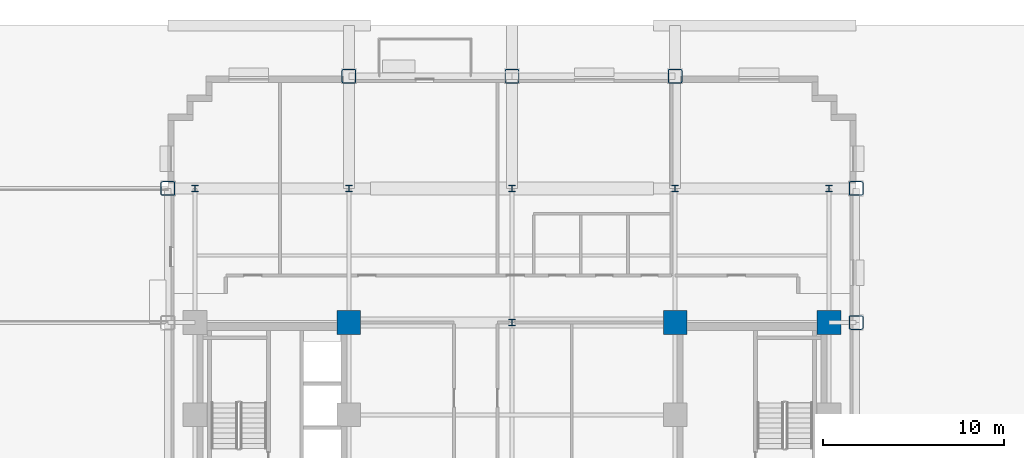
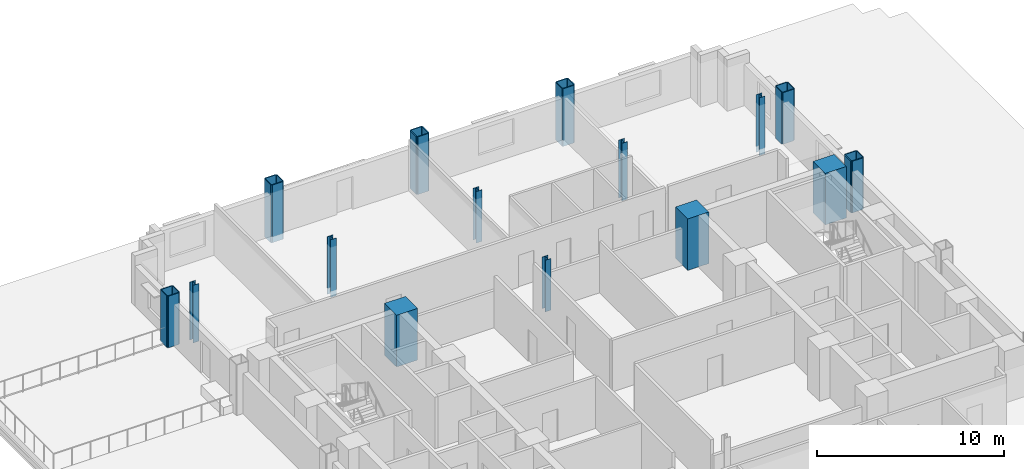
# One storey, part 2 of 13: 15 columns.
"""IFC4 building model written with IfcOpenShell, lengths in metres."""

import ifcopenshell
import ifcopenshell.guid

model = None  # the IFC model being written
_history = None  # IfcOwnerHistory: only IFC2X3 demands one
_inside = {}  # id of a spatial element -> (the spatial element, [elements in it])
_under = {}  # id of a project, library or spatial element -> (it, [spatial elements below it])
_declared = {}  # id of a project -> (the project, [libraries it declares])
_typed = {}  # id of a type object -> (the type object, [elements of that type])
_made_of = {}  # id of a material, layer set ... -> (it, [elements and type objects made of it])


def new_model(schema):
    """Start an empty IFC model of exactly this schema.

    Asked for "IFC4X3", IfcOpenShell would pick the latest addendum, in which some entities
    have other attributes; the version numbers below select the first issue.
    IFC2X3 requires an IfcOwnerHistory on every rooted entity: one is made here for all.
    """
    global model, _history
    if schema == "IFC4X3":
        model = ifcopenshell.file(schema_version=(4, 3, 0, 0))
    else:
        model = ifcopenshell.file(schema=schema)
    _inside.clear()
    _under.clear()
    _declared.clear()
    _typed.clear()
    _made_of.clear()
    _history = None
    if model.schema == "IFC2X3":
        org = make("IfcOrganization", Name="unknown")
        user = make(
            "IfcPersonAndOrganization",
            ThePerson=make("IfcPerson", FamilyName="unknown"),
            TheOrganization=org,
        )
        app = make(
            "IfcApplication",
            ApplicationDeveloper=org,
            Version="unknown",
            ApplicationFullName="unknown",
            ApplicationIdentifier="unknown",
        )
        _history = make(
            "IfcOwnerHistory",
            OwningUser=user,
            OwningApplication=app,
            ChangeAction="ADDED",
            CreationDate=0,
        )
    return model


def make(cls, **values):
    """One entity of the class cls with the attributes given. An attribute that is None is left unset."""
    return model.create_entity(
        cls, **{name: value for name, value in values.items() if value is not None}
    )


def rooted(cls, **values):
    """An entity with a GlobalId (a new one), such as an element, a storey or a relation."""
    return make(cls, GlobalId=ifcopenshell.guid.new(), OwnerHistory=_history, **values)


def si_unit(unit_type, name, prefix=None):
    """IfcSIUnit, for example si_unit("LENGTHUNIT", "METRE", prefix="MILLI")."""
    return make("IfcSIUnit", UnitType=unit_type, Prefix=prefix, Name=name)


def assignment(units):
    """IfcUnitAssignment: the units of a project."""
    return None if units is None else make("IfcUnitAssignment", Units=units)


def point(xyz):
    """IfcCartesianPoint."""
    return None if xyz is None else make("IfcCartesianPoint", Coordinates=xyz)


def direction(xyz):
    """IfcDirection."""
    return None if xyz is None else make("IfcDirection", DirectionRatios=xyz)


def frame(location, z_axis=None, x_axis=None):
    """IfcAxis2Placement3D, a coordinate frame: its origin and axes. An axis left out is left unset."""
    return make(
        "IfcAxis2Placement3D",
        Location=point(location),
        Axis=direction(z_axis),
        RefDirection=direction(x_axis),
    )


def frame_2d(location, x_axis=None):
    """IfcAxis2Placement2D, a coordinate frame in the plane: its origin and x axis."""
    return make(
        "IfcAxis2Placement2D", Location=point(location), RefDirection=direction(x_axis)
    )


def origin():
    """The frame at (0, 0, 0) with its axes left unset."""
    return frame((0.0, 0.0, 0.0))


def origin_2d():
    """The frame at (0, 0) in the plane with its x axis left unset."""
    return frame_2d((0.0, 0.0))


def place(relative_to, where):
    """IfcLocalPlacement: puts the frame where relative to a parent placement (None: the world)."""
    return make(
        "IfcLocalPlacement", PlacementRelTo=relative_to, RelativePlacement=where
    )


def context(
    kind, dimensions, precision=None, world=None, true_north=None, identifier=None
):
    """IfcGeometricRepresentationContext, for example the 3D "Model" context."""
    return make(
        "IfcGeometricRepresentationContext",
        ContextIdentifier=identifier,
        ContextType=kind,
        CoordinateSpaceDimension=dimensions,
        Precision=precision,
        WorldCoordinateSystem=world,
        TrueNorth=true_north,
    )


def subcontext(parent, identifier, kind, view, scale=None):
    """IfcGeometricRepresentationSubContext, for example "Body" below "Model"."""
    return make(
        "IfcGeometricRepresentationSubContext",
        ContextIdentifier=identifier,
        ContextType=kind,
        ParentContext=parent,
        TargetScale=scale,
        TargetView=view,
    )


def project(units=None, contexts=None):
    """IfcProject with its units and contexts."""
    return rooted(
        "IfcProject",
        Name="project",
        RepresentationContexts=contexts,
        UnitsInContext=assignment(units),
    )


def spatial(cls, under=None, at=None, **own):
    """A site, building, storey or space (cls), placed at a placement, below another one or the project."""
    s = rooted(cls, ObjectPlacement=at, **own)
    if under is not None:
        _under.setdefault(under.id(), (under, []))[1].append(s)
    return s


def profile(cls, at=None, kind="AREA", **sizes):
    """A parametric profile (cls). Its sizes go by their IFC names, for example OverallWidth=200.0."""
    return make(cls, ProfileType=kind, Position=at, **sizes)


def rectangle(**sizes):
    """IfcRectangleProfileDef."""
    return profile("IfcRectangleProfileDef", **sizes)


def hollow_rectangle(**sizes):
    """IfcRectangleHollowProfileDef."""
    return profile("IfcRectangleHollowProfileDef", **sizes)


def i_section(**sizes):
    """IfcIShapeProfileDef."""
    return profile("IfcIShapeProfileDef", **sizes)


def extrude(swept, where, along, depth):
    """IfcExtrudedAreaSolid: the profile swept, set in the frame where, extruded along a direction by depth."""
    return make(
        "IfcExtrudedAreaSolid",
        SweptArea=swept,
        Position=where,
        ExtrudedDirection=direction(along),
        Depth=depth,
    )


def shape(context_of_items, identifier, shape_type, items):
    """IfcShapeRepresentation: the items that make up one representation, for example the "Body"."""
    return make(
        "IfcShapeRepresentation",
        ContextOfItems=context_of_items,
        RepresentationIdentifier=identifier,
        RepresentationType=shape_type,
        Items=items,
    )


def material(Name=None, Category=None):
    """IfcMaterial."""
    return make("IfcMaterial", Name=Name, Category=Category)


def material_profile(
    of_material, cross_section, Name=None, Category=None, Priority=None
):
    """IfcMaterialProfile: a cross section and its material."""
    return make(
        "IfcMaterialProfile",
        Name=Name,
        Material=of_material,
        Profile=cross_section,
        Priority=Priority,
        Category=Category,
    )


def profile_set(profiles, Name=None, composite=None):
    """IfcMaterialProfileSet."""
    return make(
        "IfcMaterialProfileSet",
        Name=Name,
        MaterialProfiles=profiles,
        CompositeProfile=composite,
    )


def made_of(thing, what):
    """Note that an element or type object is made of a material, layer set ...; save() writes the relation."""
    if what is not None:
        _made_of.setdefault(what.id(), (what, []))[1].append(thing)
    return thing


def type_object(cls, material=None, **own):
    """A type object (cls), such as IfcWallType, which elements share."""
    return made_of(rooted(cls, **own), material)


def element(
    cls,
    number,
    at=None,
    inside=None,
    cuts=None,
    type_object=None,
    material=None,
    context=None,
    identifier="Body",
    shape_type=None,
    held_by="IfcProductDefinitionShape",
    body=None,
    shapes=None,
    **own,
):
    """One element of the class cls, such as IfcWall. Its Tag is "e" and its number.

    at: its placement. inside: the storey or other place that contains it. cuts: it is an
    opening in that element (IfcRelVoidsElement). A single representation is given by context,
    identifier, shape_type and body (its items); several are given by shapes. held_by: the class
    of the entity that holds the representations. save() writes the other relations.
    """
    e = rooted(cls, Tag="e%d" % number, ObjectPlacement=at, **own)
    if body is not None:
        shapes = [shape(context, identifier, shape_type, body)]
    if shapes is not None:
        e.Representation = make(held_by, Representations=shapes)
    if inside is not None:
        _inside.setdefault(inside.id(), (inside, []))[1].append(e)
    if cuts is not None:
        rooted(
            "IfcRelVoidsElement", RelatingBuildingElement=cuts, RelatedOpeningElement=e
        )
    if type_object is not None:
        _typed.setdefault(type_object.id(), (type_object, []))[1].append(e)
    return made_of(e, material)


def aggregate(whole, parts):
    """IfcRelAggregates: a whole, such as a stair, and the parts it consists of."""
    return rooted("IfcRelAggregates", RelatingObject=whole, RelatedObjects=parts)


def save(model, path):
    """Write the relations noted so far, then the file.

    IfcRelAggregates (storeys below a building ...), IfcRelContainedInSpatialStructure (elements
    in a storey), IfcRelDefinesByType, IfcRelAssociatesMaterial and IfcRelDeclares: one each for
    every whole, place, type object, material and project.
    """
    for whole, parts in _under.values():
        aggregate(whole, parts)
    for where, things in _inside.values():
        rooted(
            "IfcRelContainedInSpatialStructure",
            RelatedElements=things,
            RelatingStructure=where,
        )
    for kind, things in _typed.values():
        rooted("IfcRelDefinesByType", RelatedObjects=things, RelatingType=kind)
    for what, things in _made_of.values():
        rooted("IfcRelAssociatesMaterial", RelatedObjects=things, RelatingMaterial=what)
    for by, libraries in _declared.values():
        rooted("IfcRelDeclares", RelatingContext=by, RelatedDefinitions=libraries)
    model.write(path)


model = new_model("IFC4")

# Units and contexts
model_context = context("Model", 3, precision=1e-05, world=origin(), true_north=direction((0.0, 1.0)))
body_context = subcontext(model_context, "Body", "Model", "MODEL_VIEW")
ifc_project = project(units=[si_unit("LENGTHUNIT", "METRE"), si_unit("AREAUNIT", "SQUARE_METRE"), si_unit("VOLUMEUNIT", "CUBIC_METRE"), si_unit("PLANEANGLEUNIT", "RADIAN"), si_unit("MASSUNIT", "GRAM", prefix="KILO")], contexts=[model_context])

# Site, building, storey
site_placement = place(None, origin())
site = spatial("IfcSite", under=ifc_project, at=site_placement, CompositionType="ELEMENT")
building_placement = place(site_placement, origin())
building = spatial("IfcBuilding", under=site, at=building_placement, Name="Nuvemarco Arch Tower", CompositionType="ELEMENT")
storey_placement = place(building_placement, frame((0.0, 0.0, 27.60009765625)))
storey = spatial("IfcBuildingStorey", under=building, at=storey_placement, Name="L06", CompositionType="ELEMENT", Elevation=27.60009765625)

# Columns
ifc_material_1 = material(Name="Concrete C60/75", Category="concrete")
ifc_material_profile_1 = material_profile(ifc_material_1, rectangle(XDim=1.300048828125, YDim=1.300048828125, at=origin_2d()), Name="RC-COL-1300x1300")
ifc_profile_set_1 = profile_set([ifc_material_profile_1], Name="Concrete C60/75")
column_type_1 = type_object("IfcColumnType", Name="COL-CORE-1300", PredefinedType="COLUMN", material=ifc_profile_set_1)
for number, where, z_axis, x_axis, name in (
    (1, (-9.0, 9.60009765625, 0.0), (0.0, 0.0, 1.0), (1.0, 0.0, 0.0), "L06 column CC_-9.0_+9.6"),
    (2, (9.0, 9.60009765625, 0.0), (0.0, 0.0, 1.0), (1.0, 0.0, 0.0), "L06 column CC_+9.0_+9.6"),
    (3, (17.5, 9.60009765625, 0.0), (0.0, 0.0, 1.0), (1.0, 0.0, 0.0), "L06 column CC_+17.5_+9.6"),
):
    element("IfcColumn", number, at=place(storey_placement, frame(where, z_axis=z_axis, x_axis=x_axis)), inside=storey, type_object=column_type_1, Name=name, PredefinedType="COLUMN", context=body_context, shape_type="SweptSolid", body=[
        extrude(rectangle(XDim=1.300048828125, YDim=1.300048828125, at=origin_2d()), origin(), (0.0, 0.0, 1.0), 3.369873046875),
    ])
ifc_material_2 = material(Name="Steel S460", Category="steel")
ifc_material_profile_2 = material_profile(ifc_material_2, hollow_rectangle(XDim=0.800048828125, YDim=0.800048828125, WallThickness=0.054931640625, InnerFilletRadius=0.054931640625, OuterFilletRadius=0.110107421875, at=origin_2d()), Name="SHS800x800x55")
ifc_profile_set_2 = profile_set([ifc_material_profile_2], Name="Steel S460")
column_type_2 = type_object("IfcColumnType", Name="COL-EXO-800", PredefinedType="COLUMN", material=ifc_profile_set_2)
for number, where, z_axis, x_axis, name in (
    (4, (-19.0, 17.0, 0.0), (0.0, 0.0, 1.0), (1.0, 0.0, 0.0), "L06 column CX_-19.0_+17.0"),
    (5, (19.0, 9.60009765625, 0.0), (0.0, 0.0, 1.0), (1.0, 0.0, 0.0), "L06 column CX_+19.0_+9.6"),
    (6, (19.0, 17.0, 0.0), (0.0, 0.0, 1.0), (1.0, 0.0, 0.0), "L06 column CX_+19.0_+17.0"),
):
    element("IfcColumn", number, at=place(storey_placement, frame(where, z_axis=z_axis, x_axis=x_axis)), inside=storey, type_object=column_type_2, Name=name, PredefinedType="COLUMN", context=body_context, shape_type="SweptSolid", body=[
        extrude(hollow_rectangle(XDim=0.800048828125, YDim=0.800048828125, WallThickness=0.054931640625, InnerFilletRadius=0.054931640625, OuterFilletRadius=0.110107421875, at=origin_2d()), origin(), (0.0, 0.0, 1.0), 3.369873046875),
    ])
for number, where, z_axis, x_axis, name in (
    (7, (-9.0, 23.199951171875, -0.400146484375), (0.0, 0.0, 1.0), (1.0, 0.0, 0.0), "L06 column CY_-9.0_+23.2"),
    (8, (0.0, 23.199951171875, -0.400146484375), (0.0, 0.0, 1.0), (1.0, 0.0, 0.0), "L06 column CY_+0.0_+23.2"),
    (9, (9.0, 23.199951171875, -0.400146484375), (0.0, 0.0, 1.0), (1.0, 0.0, 0.0), "L06 column CY_+9.0_+23.2"),
):
    element("IfcColumn", number, at=place(storey_placement, frame(where, z_axis=z_axis, x_axis=x_axis)), inside=storey, type_object=column_type_2, Name=name, PredefinedType="COLUMN", context=body_context, shape_type="SweptSolid", body=[
        extrude(hollow_rectangle(XDim=0.800048828125, YDim=0.800048828125, WallThickness=0.054931640625, InnerFilletRadius=0.054931640625, OuterFilletRadius=0.110107421875, at=origin_2d()), origin(), (0.0, 0.0, 1.0), 3.77001953125),
    ])
ifc_material_3 = material(Name="Steel S355", Category="steel")
ifc_material_profile_3 = material_profile(ifc_material_3, i_section(OverallWidth=0.360107421875, OverallDepth=0.360107421875, WebThickness=0.0205078125, FlangeThickness=0.0205078125, FilletRadius=0.01806640625, at=origin_2d()), Name="HP360x174")
ifc_profile_set_3 = profile_set([ifc_material_profile_3], Name="Steel S355")
column_type_3 = type_object("IfcColumnType", Name="COL-STL-HP360", PredefinedType="COLUMN", material=ifc_profile_set_3)
for number, where, z_axis, x_axis, name in (
    (10, (0.0, 9.60009765625, 0.0), (0.0, 0.0, 1.0), (1.0, 0.0, 0.0), "L06 column CI_+0.0_+9.6"),
    (11, (0.0, 17.0, 0.0), (0.0, 0.0, 1.0), (1.0, 0.0, 0.0), "L06 column CI_+0.0_+17.0"),
):
    element("IfcColumn", number, at=place(storey_placement, frame(where, z_axis=z_axis, x_axis=x_axis)), inside=storey, type_object=column_type_3, Name=name, PredefinedType="COLUMN", context=body_context, shape_type="SweptSolid", body=[
        extrude(i_section(OverallWidth=0.360107421875, OverallDepth=0.360107421875, WebThickness=0.0205078125, FlangeThickness=0.0205078125, FilletRadius=0.01806640625, at=origin_2d()), origin(), (0.0, 0.0, 1.0), 3.369873046875),
    ])
for number, where, z_axis, x_axis, name in (
    (12, (-17.5, 17.0, -0.400146484375), (0.0, 0.0, 1.0), (1.0, 0.0, 0.0), "L06 column CI_-17.5_+17.0"),
    (13, (-9.0, 17.0, -0.400146484375), (0.0, 0.0, 1.0), (1.0, 0.0, 0.0), "L06 column CI_-9.0_+17.0"),
    (14, (9.0, 17.0, -0.400146484375), (0.0, 0.0, 1.0), (1.0, 0.0, 0.0), "L06 column CI_+9.0_+17.0"),
    (15, (17.5, 17.0, -0.400146484375), (0.0, 0.0, 1.0), (1.0, 0.0, 0.0), "L06 column CI_+17.5_+17.0"),
):
    element("IfcColumn", number, at=place(storey_placement, frame(where, z_axis=z_axis, x_axis=x_axis)), inside=storey, type_object=column_type_3, Name=name, PredefinedType="COLUMN", context=body_context, shape_type="SweptSolid", body=[
        extrude(i_section(OverallWidth=0.360107421875, OverallDepth=0.360107421875, WebThickness=0.0205078125, FlangeThickness=0.0205078125, FilletRadius=0.01806640625, at=origin_2d()), origin(), (0.0, 0.0, 1.0), 3.77001953125),
    ])

save(model, "model.ifc")
